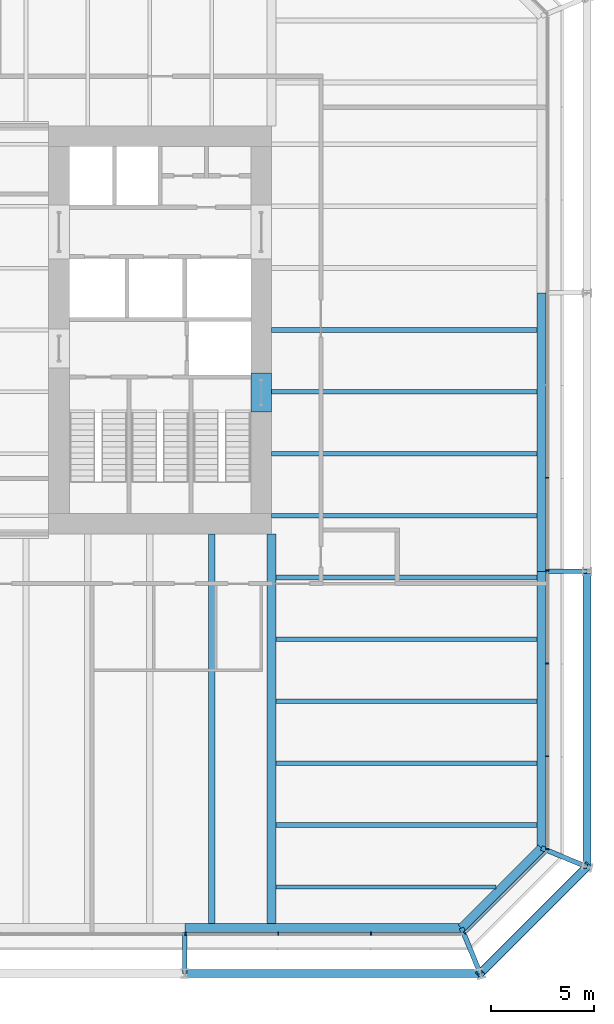
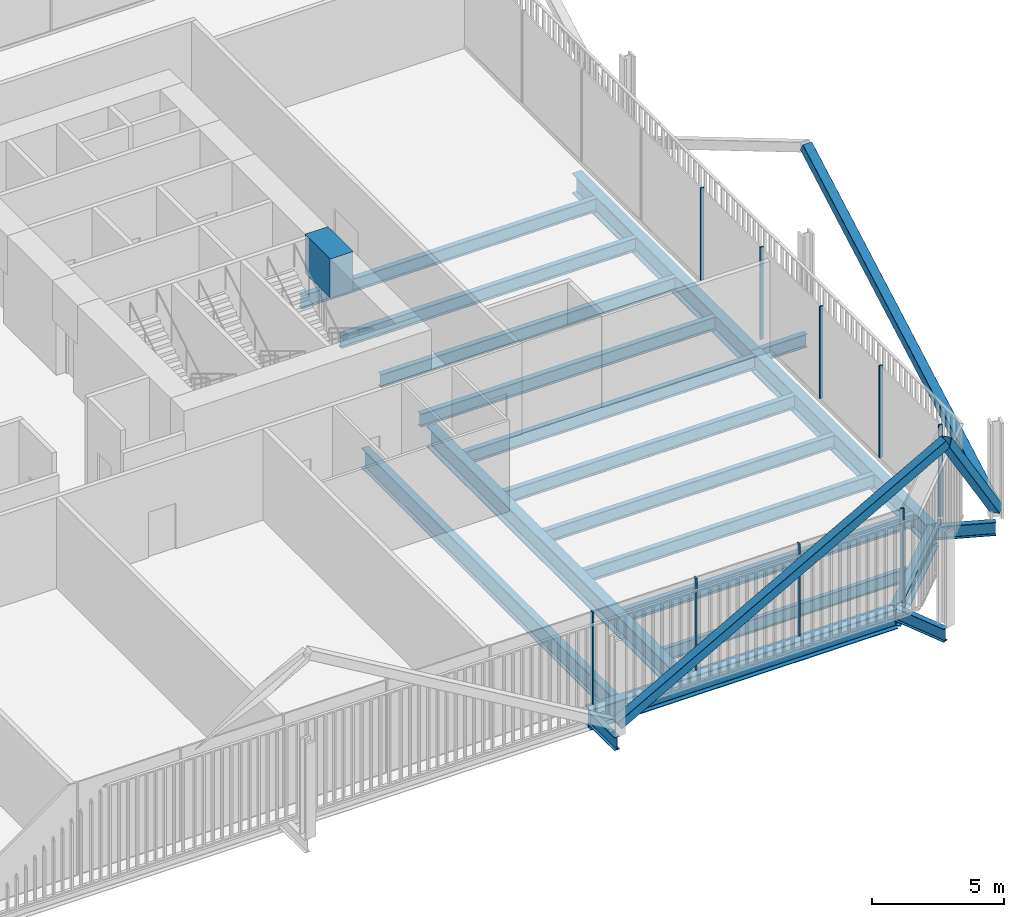
# One storey, part 8 of 21: 21 beams, 13 members, 3 elements without a shape of their own.
"""IFC4 building model written with IfcOpenShell, lengths in metres."""

from ifc_helpers import new_model, si_unit, direction, frame, origin, origin_2d, place, context, subcontext, project, spatial, rectangle, hollow_rectangle, i_section, extrude, material, layer, layer_set, material_profile, profile_set, type_object, element, aggregate, save


model = new_model("IFC4")

# Units and contexts
model_context = context("Model", 3, precision=1e-05, world=origin(), true_north=direction((0.0, 1.0)))
body_context = subcontext(model_context, "Body", "Model", "MODEL_VIEW")
ifc_project = project(units=[si_unit("LENGTHUNIT", "METRE"), si_unit("AREAUNIT", "SQUARE_METRE"), si_unit("VOLUMEUNIT", "CUBIC_METRE"), si_unit("PLANEANGLEUNIT", "RADIAN"), si_unit("MASSUNIT", "GRAM", prefix="KILO")], contexts=[model_context])

# Site, building, storey
site_placement = place(None, origin())
site = spatial("IfcSite", under=ifc_project, at=site_placement, CompositionType="ELEMENT")
building_placement = place(site_placement, origin())
building = spatial("IfcBuilding", under=site, at=building_placement, Name="Millrace Tower", CompositionType="ELEMENT")
storey_placement = place(building_placement, frame((0.0, 0.0, 104.0)))
storey = spatial("IfcBuildingStorey", under=building, at=storey_placement, Name="L23", CompositionType="ELEMENT", Elevation=104.0)

# Curtain wall, members
ifc_material_1 = material(Name="Aluminium and glass", Category="aluminium")
ifc_layer = layer(ifc_material_1, 0.14990234375)
ifc_layer_set = layer_set([ifc_layer], Name="Aluminium and glass")
curtain_wall_type = type_object("IfcCurtainWallType", Name="CW-3 telecom floor curtain wall", PredefinedType="NOTDEFINED", material=ifc_layer_set)
placement = place(storey_placement, origin())
curtain_wall_1 = element("IfcCurtainWall", 1, at=placement, inside=storey, type_object=curtain_wall_type, Name="Curtain wall B-F02 L23", PredefinedType="NOTDEFINED")
ifc_material_2 = material(Name="Aluminium", Category="aluminium")
ifc_material_profile_1 = material_profile(ifc_material_2, rectangle(XDim=0.06494140625, YDim=0.14990234375, at=origin_2d()))
ifc_profile_set_1 = profile_set([ifc_material_profile_1], Name="Aluminium")
member_type_1 = type_object("IfcMemberType", Name="CW-3 telecom floor curtain wall mullion", PredefinedType="MULLION", material=ifc_profile_set_1)
member_1_placement = place(storey_placement, frame((10.732421875, -29.27490234375, 0.14990234375), z_axis=(0.0, 0.0, 1.0), x_axis=(1.0, 0.0, 0.0)))
member_1 = element("IfcMember", 2, at=member_1_placement, type_object=member_type_1, Name="CW3 mullion B-F02.7", PredefinedType="MULLION", context=body_context, shape_type="SweptSolid", body=[
    extrude(rectangle(XDim=0.06494140625, YDim=0.14990234375, at=origin_2d()), origin(), (0.0, 0.0, 1.0), 4.25),
])
member_2_placement = place(storey_placement, frame((15.232421875, -29.27490234375, 0.14990234375), z_axis=(0.0, 0.0, 1.0), x_axis=(1.0, 0.0, 0.0)))
member_2 = element("IfcMember", 3, at=member_2_placement, type_object=member_type_1, Name="CW3 mullion B-F02.8", PredefinedType="MULLION", context=body_context, shape_type="SweptSolid", body=[
    extrude(rectangle(XDim=0.06494140625, YDim=0.14990234375, at=origin_2d()), origin(), (0.0, 0.0, 1.0), 4.25),
])
member_3_placement = place(storey_placement, frame((19.732421875, -29.27490234375, 0.14990234375), z_axis=(0.0, 0.0, 1.0), x_axis=(1.0, 0.0, 0.0)))
member_3 = element("IfcMember", 4, at=member_3_placement, type_object=member_type_1, Name="CW3 mullion B-F02.9", PredefinedType="MULLION", context=body_context, shape_type="SweptSolid", body=[
    extrude(rectangle(XDim=0.06494140625, YDim=0.14990234375, at=origin_2d()), origin(), (0.0, 0.0, 1.0), 4.25),
])
aggregate(curtain_wall_1, [member_1, member_2, member_3])

# Curtain wall, member
curtain_wall_2 = element("IfcCurtainWall", 5, at=placement, inside=storey, type_object=curtain_wall_type, Name="Curtain wall B-F03 L23", PredefinedType="NOTDEFINED")
member_4_placement = place(storey_placement, frame((24.276123046875, -29.22998046875, 0.14990234375), z_axis=(0.0, 0.0, 1.0), x_axis=(0.707106781187, 0.707106781187, 0.0)))
member_4 = element("IfcMember", 6, at=member_4_placement, type_object=member_type_1, Name="CW3 mullion B-F03.1", PredefinedType="MULLION", context=body_context, shape_type="SweptSolid", body=[
    extrude(rectangle(XDim=0.06494140625, YDim=0.14990234375, at=origin_2d()), origin(), (0.0, 0.0, 1.0), 4.25),
])

# Curtain wall, members
curtain_wall_3 = element("IfcCurtainWall", 7, at=placement, inside=storey, type_object=curtain_wall_type, Name="Curtain wall B-F04 L23", PredefinedType="NOTDEFINED")
member_5_placement = place(storey_placement, frame((28.27490234375, -25.16748046875, 0.14990234375), z_axis=(0.0, 0.0, 1.0), x_axis=(0.0, 1.0, 0.0)))
member_5 = element("IfcMember", 8, at=member_5_placement, type_object=member_type_1, Name="CW3 mullion B-F04.1", PredefinedType="MULLION", context=body_context, shape_type="SweptSolid", body=[
    extrude(rectangle(XDim=0.06494140625, YDim=0.14990234375, at=origin_2d()), origin(), (0.0, 0.0, 1.0), 4.25),
])
member_6_placement = place(storey_placement, frame((28.27490234375, -20.66748046875, 0.14990234375), z_axis=(0.0, 0.0, 1.0), x_axis=(0.0, 1.0, 0.0)))
member_6 = element("IfcMember", 9, at=member_6_placement, type_object=member_type_1, Name="CW3 mullion B-F04.2", PredefinedType="MULLION", context=body_context, shape_type="SweptSolid", body=[
    extrude(rectangle(XDim=0.06494140625, YDim=0.14990234375, at=origin_2d()), origin(), (0.0, 0.0, 1.0), 4.25),
])
member_7_placement = place(storey_placement, frame((28.27490234375, -16.16748046875, 0.14990234375), z_axis=(0.0, 0.0, 1.0), x_axis=(0.0, 1.0, 0.0)))
member_7 = element("IfcMember", 10, at=member_7_placement, type_object=member_type_1, Name="CW3 mullion B-F04.3", PredefinedType="MULLION", context=body_context, shape_type="SweptSolid", body=[
    extrude(rectangle(XDim=0.06494140625, YDim=0.14990234375, at=origin_2d()), origin(), (0.0, 0.0, 1.0), 4.25),
])
member_8_placement = place(storey_placement, frame((28.27490234375, -11.66748046875, 0.14990234375), z_axis=(0.0, 0.0, 1.0), x_axis=(0.0, 1.0, 0.0)))
member_8 = element("IfcMember", 11, at=member_8_placement, type_object=member_type_1, Name="CW3 mullion B-F04.4", PredefinedType="MULLION", context=body_context, shape_type="SweptSolid", body=[
    extrude(rectangle(XDim=0.06494140625, YDim=0.14990234375, at=origin_2d()), origin(), (0.0, 0.0, 1.0), 4.25),
])
member_9_placement = place(storey_placement, frame((28.27490234375, -7.16748046875, 0.14990234375), z_axis=(0.0, 0.0, 1.0), x_axis=(0.0, 1.0, 0.0)))
member_9 = element("IfcMember", 12, at=member_9_placement, type_object=member_type_1, Name="CW3 mullion B-F04.5", PredefinedType="MULLION", context=body_context, shape_type="SweptSolid", body=[
    extrude(rectangle(XDim=0.06494140625, YDim=0.14990234375, at=origin_2d()), origin(), (0.0, 0.0, 1.0), 4.25),
])
aggregate(curtain_wall_3, [member_5, member_6, member_7, member_8, member_9])

# Member
ifc_material_3 = material(Name="Aluminium", Category="aluminium")
ifc_material_profile_2 = material_profile(ifc_material_3, rectangle(XDim=0.14990234375, YDim=0.14990234375, at=origin_2d()))
ifc_profile_set_2 = profile_set([ifc_material_profile_2], Name="Aluminium")
member_type_2 = type_object("IfcMemberType", Name="CW-3 telecom floor curtain wall transom", PredefinedType="USERDEFINED", material=ifc_profile_set_2)
member_10_placement = place(storey_placement, frame((24.32373046875, -29.182373046875, 0.074951171875), z_axis=(0.707106781187, 0.707106781187, 0.0), x_axis=(-0.707106781187, 0.707106781187, 0.0)))
member_10 = element("IfcMember", 13, at=member_10_placement, type_object=member_type_2, Name="CW3 transom B-F03.1", ObjectType="TRANSOM", PredefinedType="USERDEFINED", context=body_context, shape_type="SweptSolid", body=[
    extrude(rectangle(XDim=0.14990234375, YDim=0.14990234375, at=origin_2d()), origin(), (0.0, 0.0, 1.0), 5.45703125),
])

aggregate(curtain_wall_2, [member_4, member_10])

# Beam
ifc_material_4 = material(Name="Concrete C80", Category="concrete")
ifc_material_profile_3 = material_profile(ifc_material_4, rectangle(XDim=1.0, YDim=1.800048828125, at=origin_2d()))
ifc_profile_set_3 = profile_set([ifc_material_profile_3], Name="Concrete C80")
beam_type_1 = type_object("IfcBeamType", Name="Coupling beam 1000 x 1800 Concrete C80, 1300 opening", PredefinedType="BEAM", material=ifc_profile_set_3)
beam_1_placement = place(storey_placement, frame((14.39990234375, -2.080078125, 3.300048828125), z_axis=(0.0, -1.0, 0.0), x_axis=(1.0, 0.0, 0.0)))
element("IfcBeam", 14, at=beam_1_placement, inside=storey, type_object=beam_type_1, Name="Coupling beam E L23", PredefinedType="BEAM", context=body_context, shape_type="SweptSolid", body=[
    extrude(rectangle(XDim=1.0, YDim=1.800048828125, at=origin_2d()), origin(), (0.0, 0.0, 1.0), 1.89990234375),
])

# Members
ifc_material_5 = material(Name="Steel ASTM A500 Grade C", Category="steel")
ifc_material_profile_4 = material_profile(ifc_material_5, hollow_rectangle(XDim=0.406494140625, YDim=0.406494140625, WallThickness=0.0126953125, InnerFilletRadius=0.00634765625, OuterFilletRadius=0.01904296875, at=origin_2d()))
ifc_profile_set_4 = profile_set([ifc_material_profile_4], Name="Steel ASTM A500 Grade C")
member_type_3 = type_object("IfcMemberType", Name="Exoskeleton brace HSS16x16x1/2", PredefinedType="BRACE", material=ifc_profile_set_4)
member_11_placement = place(storey_placement, frame((10.699951171875, -31.199951171875, 0.39990234375), z_axis=(0.873125840427, 0.0, 0.487494888976), x_axis=(0.0, 1.0, 0.0)))
element("IfcMember", 15, at=member_11_placement, inside=storey, type_object=member_type_3, Name="BRC-B-L23-04", PredefinedType="BRACE", context=body_context, shape_type="SweptSolid", body=[
    extrude(hollow_rectangle(XDim=0.406494140625, YDim=0.406494140625, WallThickness=0.0126953125, InnerFilletRadius=0.00634765625, OuterFilletRadius=0.01904296875, at=origin_2d()), origin(), (0.0, 0.0, 1.0), 16.410400390625),
])
member_12_placement = place(storey_placement, frame((30.199951171875, -26.0283203125, 0.39990234375), z_axis=(-0.477116280189, -0.477116280189, 0.738051563482), x_axis=(0.707106781187, -0.707106781187, 0.0)))
element("IfcMember", 16, at=member_12_placement, inside=storey, type_object=member_type_3, Name="BRC-B-L23-05", PredefinedType="BRACE", context=body_context, shape_type="SweptSolid", body=[
    extrude(hollow_rectangle(XDim=0.406494140625, YDim=0.406494140625, WallThickness=0.0126953125, InnerFilletRadius=0.00634765625, OuterFilletRadius=0.01904296875, at=origin_2d()), origin(), (0.0, 0.0, 1.0), 10.83935546875),
])
member_13_placement = place(storey_placement, frame((30.199951171875, -26.0283203125, 0.39990234375), z_axis=(0.0, 0.873125840427, 0.487494888976), x_axis=(-1.0, 0.0, 0.0)))
element("IfcMember", 17, at=member_13_placement, inside=storey, type_object=member_type_3, Name="BRC-B-L23-06", PredefinedType="BRACE", context=body_context, shape_type="SweptSolid", body=[
    extrude(hollow_rectangle(XDim=0.406494140625, YDim=0.406494140625, WallThickness=0.0126953125, InnerFilletRadius=0.00634765625, OuterFilletRadius=0.01904296875, at=origin_2d()), origin(), (0.0, 0.0, 1.0), 16.410400390625),
])

# Beams
ifc_material_6 = material(Name="Steel ASTM A992 Grade 50", Category="steel")
ifc_material_profile_5 = material_profile(ifc_material_6, i_section(OverallWidth=0.1787109375, OverallDepth=0.60205078125, WebThickness=0.010986328125, FlangeThickness=0.014892578125, FilletRadius=0.0126953125, at=origin_2d()))
ifc_profile_set_5 = profile_set([ifc_material_profile_5], Name="Steel ASTM A992 Grade 50")
beam_type_2 = type_object("IfcBeamType", Name="Floor beam W24x62", PredefinedType="JOIST", material=ifc_profile_set_5)
beam_2_placement = place(storey_placement, frame((15.11083984375, -27.0, -0.5009765625), z_axis=(1.0, 0.0, 0.0), x_axis=(0.0, 1.0, 0.0)))
element("IfcBeam", 18, at=beam_2_placement, inside=storey, type_object=beam_type_2, Name="BM-B-L23-S1-S002", PredefinedType="JOIST", context=body_context, shape_type="SweptSolid", body=[
    extrude(i_section(OverallWidth=0.1787109375, OverallDepth=0.60205078125, WebThickness=0.010986328125, FlangeThickness=0.014892578125, FilletRadius=0.0126953125, at=origin_2d()), origin(), (0.0, 0.0, 1.0), 10.67236328125),
])
ifc_material_7 = material(Name="Steel ASTM A992 Grade 50", Category="steel")
ifc_material_profile_6 = material_profile(ifc_material_7, i_section(OverallWidth=0.228271484375, OverallDepth=0.607177734375, WebThickness=0.01123046875, FlangeThickness=0.017333984375, FilletRadius=0.0126953125, at=origin_2d()))
ifc_profile_set_6 = profile_set([ifc_material_profile_6], Name="Steel ASTM A992 Grade 50")
beam_type_3 = type_object("IfcBeamType", Name="Floor beam W24x76", PredefinedType="JOIST", material=ifc_profile_set_6)
for number, where, z_axis, x_axis, name in (
    (19, (15.11083984375, -24.0, -0.50341796875), (1.0, 0.0, 0.0), (0.0, 1.0, 0.0), "BM-B-L23-S1-S004"),
    (20, (15.11083984375, -21.0, -0.50341796875), (1.0, 0.0, 0.0), (0.0, 1.0, 0.0), "BM-B-L23-S1-S006"),
    (21, (15.11083984375, -18.0, -0.50341796875), (1.0, 0.0, 0.0), (0.0, 1.0, 0.0), "BM-B-L23-S1-S008"),
    (22, (15.11083984375, -15.0, -0.50341796875), (1.0, 0.0, 0.0), (0.0, 1.0, 0.0), "BM-B-L23-S1-S010"),
    (23, (15.11083984375, -12.0, -0.50341796875), (1.0, 0.0, 0.0), (0.0, 1.0, 0.0), "BM-B-L23-S1-S012"),
):
    element("IfcBeam", number, at=place(storey_placement, frame(where, z_axis=z_axis, x_axis=x_axis)), inside=storey, type_object=beam_type_3, Name=name, PredefinedType="JOIST", context=body_context, shape_type="SweptSolid", body=[
        extrude(i_section(OverallWidth=0.228271484375, OverallDepth=0.607177734375, WebThickness=0.01123046875, FlangeThickness=0.017333984375, FilletRadius=0.0126953125, at=origin_2d()), origin(), (0.0, 0.0, 1.0), 12.670166015625),
    ])
for number, where, z_axis, x_axis, name in (
    (24, (14.89990234375, -9.0, -0.50341796875), (1.0, 0.0, 0.0), (0.0, 1.0, 0.0), "BM-B-L23-S1-S015"),
    (25, (14.89990234375, -6.0, -0.50341796875), (1.0, 0.0, 0.0), (0.0, 1.0, 0.0), "BM-B-L23-S1-S018"),
    (26, (14.89990234375, -3.0, -0.50341796875), (1.0, 0.0, 0.0), (0.0, 1.0, 0.0), "BM-B-L23-S1-S021"),
    (27, (14.89990234375, 0.0, -0.50341796875), (1.0, 0.0, 0.0), (0.0, 1.0, 0.0), "BM-B-L23-S1-S024"),
):
    element("IfcBeam", number, at=place(storey_placement, frame(where, z_axis=z_axis, x_axis=x_axis)), inside=storey, type_object=beam_type_3, Name=name, PredefinedType="JOIST", context=body_context, shape_type="SweptSolid", body=[
        extrude(i_section(OverallWidth=0.228271484375, OverallDepth=0.607177734375, WebThickness=0.01123046875, FlangeThickness=0.017333984375, FilletRadius=0.0126953125, at=origin_2d()), origin(), (0.0, 0.0, 1.0), 12.881103515625),
    ])
ifc_material_8 = material(Name="Steel ASTM A992 Grade 50", Category="steel")
ifc_material_profile_7 = material_profile(ifc_material_8, i_section(OverallWidth=0.307373046875, OverallDepth=0.927001953125, WebThickness=0.01953125, FlangeThickness=0.031982421875, FilletRadius=0.01904296875, at=origin_2d()))
ifc_profile_set_7 = profile_set([ifc_material_profile_7], Name="Steel ASTM A992 Grade 50")
beam_type_4 = type_object("IfcBeamType", Name="Floor beam W36x194", PredefinedType="JOIST", material=ifc_profile_set_7)
beam_3_placement = place(storey_placement, frame((12.0, -28.781005859375, -0.66357421875), z_axis=(0.0, 1.0, 0.0), x_axis=(-1.0, 0.0, 0.0)))
element("IfcBeam", 28, at=beam_3_placement, inside=storey, type_object=beam_type_4, Name="BM-B-L23-S1-S057", PredefinedType="JOIST", context=body_context, shape_type="SweptSolid", body=[
    extrude(i_section(OverallWidth=0.307373046875, OverallDepth=0.927001953125, WebThickness=0.01953125, FlangeThickness=0.031982421875, FilletRadius=0.01904296875, at=origin_2d()), origin(), (0.0, 0.0, 1.0), 18.881103515625),
])
ifc_material_9 = material(Name="Steel ASTM A992 Grade 50", Category="steel")
ifc_material_profile_8 = material_profile(ifc_material_9, i_section(OverallWidth=0.424072265625, OverallDepth=0.947509765625, WebThickness=0.02392578125, FlangeThickness=0.042724609375, FilletRadius=0.024169921875, at=origin_2d()))
ifc_profile_set_8 = profile_set([ifc_material_profile_8], Name="Steel ASTM A992 Grade 50")
beam_type_5 = type_object("IfcBeamType", Name="Girder medium span W36x302", PredefinedType="BEAM", material=ifc_profile_set_8)
beam_4_placement = place(storey_placement, frame((14.89990234375, -28.781005859375, -0.673828125), z_axis=(0.0, 1.0, 0.0), x_axis=(-1.0, 0.0, 0.0)))
element("IfcBeam", 29, at=beam_4_placement, inside=storey, type_object=beam_type_5, Name="BM-B-L23-S1-G061", PredefinedType="BEAM", context=body_context, shape_type="SweptSolid", body=[
    extrude(i_section(OverallWidth=0.424072265625, OverallDepth=0.947509765625, WebThickness=0.02392578125, FlangeThickness=0.042724609375, FilletRadius=0.024169921875, at=origin_2d()), origin(), (0.0, 0.0, 1.0), 18.881103515625),
])
ifc_material_10 = material(Name="Steel ASTM A992 Grade 50", Category="steel")
ifc_material_profile_9 = material_profile(ifc_material_10, i_section(OverallWidth=0.23046875, OverallDepth=0.6171875, WebThickness=0.01318359375, FlangeThickness=0.022216796875, FilletRadius=0.012939453125, at=origin_2d()))
ifc_profile_set_9 = profile_set([ifc_material_profile_9], Name="Steel ASTM A992 Grade 50")
beam_type_6 = type_object("IfcBeamType", Name="Link beam W24x94", PredefinedType="BEAM", material=ifc_profile_set_9)
beam_5_placement = place(storey_placement, frame((28.199951171875, -11.699951171875, -0.508544921875), z_axis=(1.0, 0.0, 0.0), x_axis=(0.0, 1.0, 0.0)))
element("IfcBeam", 30, at=beam_5_placement, inside=storey, type_object=beam_type_6, Name="LNK-B-L23-S1-11", PredefinedType="BEAM", context=body_context, shape_type="SweptSolid", body=[
    extrude(i_section(OverallWidth=0.23046875, OverallDepth=0.6171875, WebThickness=0.01318359375, FlangeThickness=0.022216796875, FilletRadius=0.012939453125, at=origin_2d()), origin(), (0.0, 0.0, 1.0), 2.0),
])
for number, where, z_axis, x_axis, name in (
    (31, (27.990478515625, -25.11328125, -0.508544921875), (0.923902368833, -0.382628295954, 0.0), (0.382628295954, 0.923902368833, 0.0), "LNK-B-L23-S1-12"),
    (32, (24.11328125, -28.990478515625, -0.508544921875), (0.382628295954, -0.923902368833, 0.0), (0.923902368833, 0.382628295954, 0.0), "LNK-B-L23-S1-13"),
):
    element("IfcBeam", number, at=place(storey_placement, frame(where, z_axis=z_axis, x_axis=x_axis)), inside=storey, type_object=beam_type_6, Name=name, PredefinedType="BEAM", context=body_context, shape_type="SweptSolid", body=[
        extrude(i_section(OverallWidth=0.23046875, OverallDepth=0.6171875, WebThickness=0.01318359375, FlangeThickness=0.022216796875, FilletRadius=0.012939453125, at=origin_2d()), origin(), (0.0, 0.0, 1.0), 2.391357421875),
    ])
beam_6_placement = place(storey_placement, frame((10.699951171875, -29.199951171875, -0.508544921875), z_axis=(0.0, -1.0, 0.0), x_axis=(1.0, 0.0, 0.0)))
element("IfcBeam", 33, at=beam_6_placement, inside=storey, type_object=beam_type_6, Name="LNK-B-L23-S1-14", PredefinedType="BEAM", context=body_context, shape_type="SweptSolid", body=[
    extrude(i_section(OverallWidth=0.23046875, OverallDepth=0.6171875, WebThickness=0.01318359375, FlangeThickness=0.022216796875, FilletRadius=0.012939453125, at=origin_2d()), origin(), (0.0, 0.0, 1.0), 2.0),
])
ifc_material_11 = material(Name="Steel ASTM A992 Grade 50", Category="steel")
ifc_material_profile_10 = material_profile(ifc_material_11, i_section(OverallWidth=0.419189453125, OverallDepth=0.927001953125, WebThickness=0.019287109375, FlangeThickness=0.031982421875, FilletRadius=0.024169921875, at=origin_2d()))
ifc_profile_set_10 = profile_set([ifc_material_profile_10], Name="Steel ASTM A992 Grade 50")
beam_type_7 = type_object("IfcBeamType", Name="Ring beam medium span W36x231", PredefinedType="SPANDREL", material=ifc_profile_set_10)
beam_7_placement = place(storey_placement, frame((27.990478515625, 1.800048828125, -0.66357421875), z_axis=(0.0, -1.0, 0.0), x_axis=(1.0, 0.0, 0.0)))
element("IfcBeam", 34, at=beam_7_placement, inside=storey, type_object=beam_type_7, Name="RNG-B-L23-S1-10", PredefinedType="SPANDREL", context=body_context, shape_type="SweptSolid", body=[
    extrude(i_section(OverallWidth=0.419189453125, OverallDepth=0.927001953125, WebThickness=0.019287109375, FlangeThickness=0.031982421875, FilletRadius=0.024169921875, at=origin_2d()), origin(), (0.0, 0.0, 1.0), 13.5),
])
for number, where, z_axis, x_axis, name in (
    (35, (27.990478515625, -11.699951171875, -0.66357421875), (0.0, -1.0, 0.0), (1.0, 0.0, 0.0), "RNG-B-L23-S1-11"),
    (36, (24.11328125, -28.990478515625, -0.66357421875), (-1.0, 0.0, 0.0), (0.0, -1.0, 0.0), "RNG-B-L23-S1-13"),
):
    element("IfcBeam", number, at=place(storey_placement, frame(where, z_axis=z_axis, x_axis=x_axis)), inside=storey, type_object=beam_type_7, Name=name, PredefinedType="SPANDREL", context=body_context, shape_type="SweptSolid", body=[
        extrude(i_section(OverallWidth=0.419189453125, OverallDepth=0.927001953125, WebThickness=0.019287109375, FlangeThickness=0.031982421875, FilletRadius=0.024169921875, at=origin_2d()), origin(), (0.0, 0.0, 1.0), 13.413330078125),
    ])
ifc_material_12 = material(Name="Steel ASTM A992 Grade 50", Category="steel")
ifc_material_profile_11 = material_profile(ifc_material_12, i_section(OverallWidth=0.419189453125, OverallDepth=0.927001953125, WebThickness=0.019287109375, FlangeThickness=0.031982421875, FilletRadius=0.024169921875, at=origin_2d()))
ifc_profile_set_11 = profile_set([ifc_material_profile_11], Name="Steel ASTM A992 Grade 50")
beam_type_8 = type_object("IfcBeamType", Name="Ring beam short span W36x231", PredefinedType="SPANDREL", material=ifc_profile_set_11)
beam_8_placement = place(storey_placement, frame((27.990478515625, -25.11328125, -0.66357421875), z_axis=(-0.707106781187, -0.707106781187, 0.0), x_axis=(0.707106781187, -0.707106781187, 0.0)))
element("IfcBeam", 37, at=beam_8_placement, inside=storey, type_object=beam_type_8, Name="RNG-B-L23-S1-12", PredefinedType="SPANDREL", context=body_context, shape_type="SweptSolid", body=[
    extrude(i_section(OverallWidth=0.419189453125, OverallDepth=0.927001953125, WebThickness=0.019287109375, FlangeThickness=0.031982421875, FilletRadius=0.024169921875, at=origin_2d()), origin(), (0.0, 0.0, 1.0), 5.483154296875),
])

save(model, "model.ifc")
